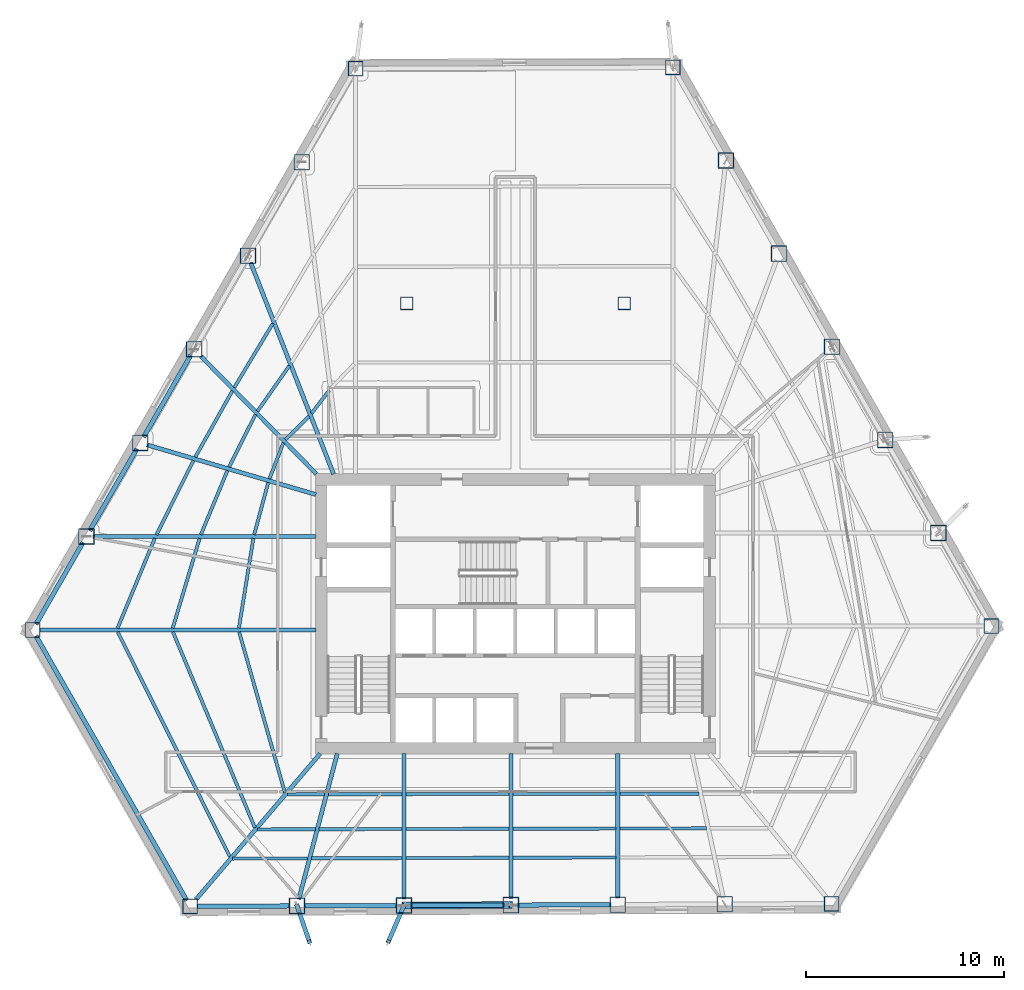
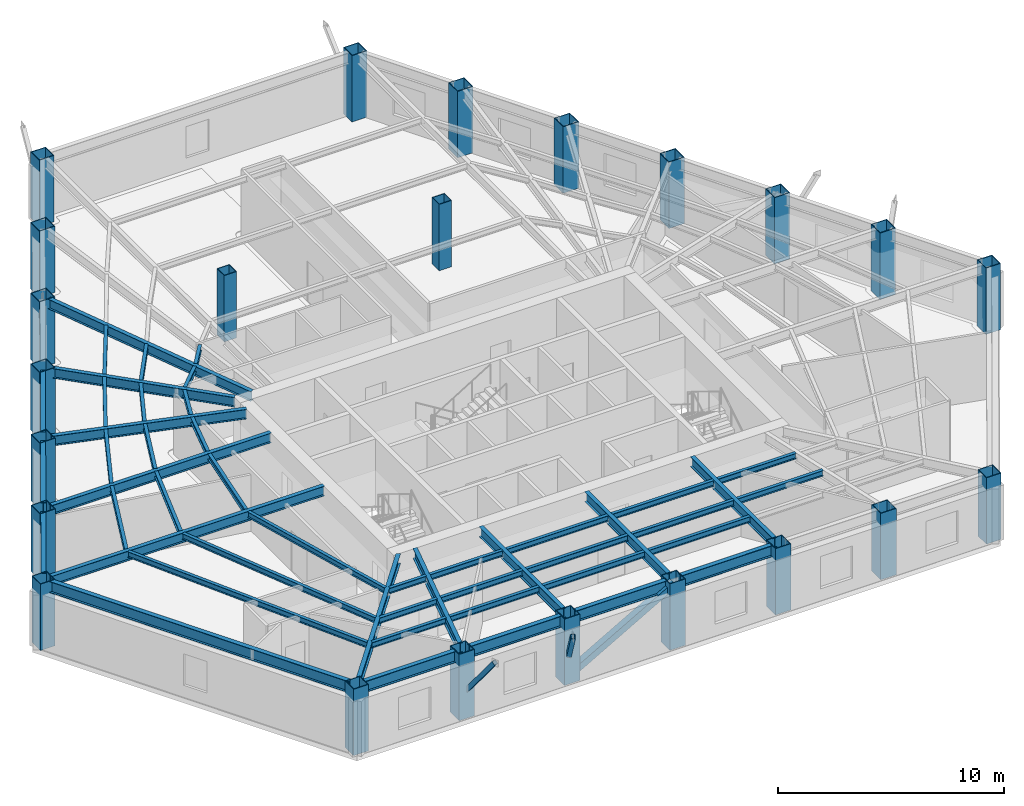
# One storey, part 1 of 12: 48 beams, 23 columns, 3 members.
"""IFC4 building model written with IfcOpenShell, lengths in metres."""

from ifc_helpers import new_model, si_unit, direction, frame, origin, origin_2d, place, context, subcontext, project, spatial, hollow_rectangle, i_section, extrude, material, material_profile, profile_set, type_object, element, save


model = new_model("IFC4")

# Units and contexts
model_context = context("Model", 3, precision=1e-05, world=origin(), true_north=direction((0.0, 1.0)))
body_context = subcontext(model_context, "Body", "Model", "MODEL_VIEW")
ifc_project = project(units=[si_unit("LENGTHUNIT", "METRE"), si_unit("AREAUNIT", "SQUARE_METRE"), si_unit("VOLUMEUNIT", "CUBIC_METRE"), si_unit("PLANEANGLEUNIT", "RADIAN"), si_unit("MASSUNIT", "GRAM", prefix="KILO")], contexts=[model_context])

# Site, building, storey
site_placement = place(None, origin())
site = spatial("IfcSite", under=ifc_project, at=site_placement, CompositionType="ELEMENT")
building_placement = place(site_placement, origin())
building = spatial("IfcBuilding", under=site, at=building_placement, Name="Kavelnor Concourse Tower", CompositionType="ELEMENT")
storey_placement = place(building_placement, frame((0.0, 0.0, 13.699951171875)))
storey = spatial("IfcBuildingStorey", under=building, at=storey_placement, Name="L03", CompositionType="ELEMENT", Elevation=13.699951171875)

# Columns
ifc_material = material(Name="Steel Grade 350", Category="steel")
ifc_material_profile_1 = material_profile(ifc_material, hollow_rectangle(XDim=0.760009765625, YDim=0.760009765625, WallThickness=0.034912109375, at=origin_2d()), Name="SHS 760x760x35")
ifc_profile_set_1 = profile_set([ifc_material_profile_1], Name="Steel Grade 350")
column_type_1 = type_object("IfcColumnType", Name="COL-FOLD-Z1", PredefinedType="COLUMN", material=ifc_profile_set_1)
for number, where, z_axis, x_axis, name in (
    (1, (29.9208984375, 43.67724609375, 0.0), (0.0, 0.0, 1.0), (1.0, 0.0, 0.0), "L03 Perimeter Corner-Fold Column F0-B0"),
    (2, (13.579345703125, 15.278564453125, 0.0), (0.0, 0.0, 1.0), (1.0, 0.0, 0.0), "L03 Perimeter Corner-Fold Column F0-B6"),
    (3, (21.547607421875, 1.30322265625, 0.0), (0.0, 0.0, 1.0), (1.0, 0.0, 0.0), "L03 Perimeter Corner-Fold Column F1-B0"),
    (4, (53.99755859375, 1.431884765625, 0.0), (0.0, 0.0, 1.0), (1.0, 0.0, 0.0), "L03 Perimeter Corner-Fold Column F1-B6"),
    (5, (62.079833984375, 15.4775390625, 0.0), (0.0, 0.0, 1.0), (1.0, 0.0, 0.0), "L03 Perimeter Corner-Fold Column F2-B0"),
    (6, (45.965087890625, 43.740966796875, 0.0), (0.0, 0.0, 1.0), (1.0, 0.0, 0.0), "L03 Perimeter Corner-Fold Column F2-B6"),
):
    element("IfcColumn", number, at=place(storey_placement, frame(where, z_axis=z_axis, x_axis=x_axis)), inside=storey, type_object=column_type_1, Name=name, PredefinedType="COLUMN", context=body_context, shape_type="SweptSolid", body=[
        extrude(hollow_rectangle(XDim=0.760009765625, YDim=0.760009765625, WallThickness=0.034912109375, at=origin_2d()), origin(), (0.0, 0.0, 1.0), 3.590087890625),
    ])
ifc_material_profile_2 = material_profile(ifc_material, hollow_rectangle(XDim=0.800048828125, YDim=0.800048828125, WallThickness=0.035888671875, at=origin_2d()), Name="SHS 800x800x36")
ifc_profile_set_2 = profile_set([ifc_material_profile_2], Name="Steel Grade 350")
column_type_2 = type_object("IfcColumnType", Name="COL-TUBE-Z1", PredefinedType="COLUMN", material=ifc_profile_set_2)
for number, where, z_axis, x_axis, name in (
    (7, (27.197265625, 38.944091796875, 0.0), (0.0, 0.0, 1.0), (1.0, 0.0, 0.0), "L03 Perimeter Framed-Tube Column F0-B1"),
    (8, (24.4736328125, 34.211181640625, 0.0), (0.0, 0.0, 1.0), (1.0, 0.0, 0.0), "L03 Perimeter Framed-Tube Column F0-B2"),
    (9, (21.75, 29.477783203125, 0.0), (0.0, 0.0, 1.0), (1.0, 0.0, 0.0), "L03 Perimeter Framed-Tube Column F0-B3"),
    (10, (19.026611328125, 24.744873046875, 0.0), (0.0, 0.0, 1.0), (1.0, 0.0, 0.0), "L03 Perimeter Framed-Tube Column F0-B4"),
    (11, (16.302978515625, 20.01171875, 0.0), (0.0, 0.0, 1.0), (1.0, 0.0, 0.0), "L03 Perimeter Framed-Tube Column F0-B5"),
    (12, (26.955810546875, 1.32470703125, 0.0), (0.0, 0.0, 1.0), (1.0, 0.0, 0.0), "L03 Perimeter Framed-Tube Column F1-B1"),
    (13, (32.3642578125, 1.34619140625, 0.0), (0.0, 0.0, 1.0), (1.0, 0.0, 0.0), "L03 Perimeter Framed-Tube Column F1-B2"),
    (14, (37.7724609375, 1.36767578125, 0.0), (0.0, 0.0, 1.0), (1.0, 0.0, 0.0), "L03 Perimeter Framed-Tube Column F1-B3"),
    (15, (43.180908203125, 1.388916015625, 0.0), (0.0, 0.0, 1.0), (1.0, 0.0, 0.0), "L03 Perimeter Framed-Tube Column F1-B4"),
    (16, (48.589111328125, 1.410400390625, 0.0), (0.0, 0.0, 1.0), (1.0, 0.0, 0.0), "L03 Perimeter Framed-Tube Column F1-B5"),
    (17, (59.39404296875, 20.188232421875, 0.0), (0.0, 0.0, 1.0), (1.0, 0.0, 0.0), "L03 Perimeter Framed-Tube Column F2-B1"),
    (18, (56.708251953125, 24.898681640625, 0.0), (0.0, 0.0, 1.0), (1.0, 0.0, 0.0), "L03 Perimeter Framed-Tube Column F2-B2"),
    (19, (54.0224609375, 29.609375, 0.0), (0.0, 0.0, 1.0), (1.0, 0.0, 0.0), "L03 Perimeter Framed-Tube Column F2-B3"),
    (20, (51.336669921875, 34.31982421875, 0.0), (0.0, 0.0, 1.0), (1.0, 0.0, 0.0), "L03 Perimeter Framed-Tube Column F2-B4"),
    (21, (48.65087890625, 39.030517578125, 0.0), (0.0, 0.0, 1.0), (1.0, 0.0, 0.0), "L03 Perimeter Framed-Tube Column F2-B5"),
):
    element("IfcColumn", number, at=place(storey_placement, frame(where, z_axis=z_axis, x_axis=x_axis)), inside=storey, type_object=column_type_2, Name=name, PredefinedType="COLUMN", context=body_context, shape_type="SweptSolid", body=[
        extrude(hollow_rectangle(XDim=0.800048828125, YDim=0.800048828125, WallThickness=0.035888671875, at=origin_2d()), origin(), (0.0, 0.0, 1.0), 3.590087890625),
    ])
ifc_material_profile_3 = material_profile(ifc_material, hollow_rectangle(XDim=0.639892578125, YDim=0.639892578125, WallThickness=0.028076171875, at=origin_2d()), Name="SHS 640x640x28")
ifc_profile_set_3 = profile_set([ifc_material_profile_3], Name="Steel Grade 350")
column_type_3 = type_object("IfcColumnType", Name="COL-TUBE-Z3", PredefinedType="COLUMN", material=ifc_profile_set_3)
for number, where, z_axis, x_axis, name in (
    (22, (32.5, 31.800048828125, 0.0), (0.0, 0.0, 1.0), (1.0, 0.0, 0.0), "L03 North Interior Gravity Column BC-NW"),
    (23, (43.5, 31.800048828125, 0.0), (0.0, 0.0, 1.0), (1.0, 0.0, 0.0), "L03 North Interior Gravity Column BC-NE"),
):
    element("IfcColumn", number, at=place(storey_placement, frame(where, z_axis=z_axis, x_axis=x_axis)), inside=storey, type_object=column_type_3, Name=name, PredefinedType="COLUMN", context=body_context, shape_type="SweptSolid", body=[
        extrude(hollow_rectangle(XDim=0.639892578125, YDim=0.639892578125, WallThickness=0.028076171875, at=origin_2d()), origin(), (0.0, 0.0, 1.0), 3.590087890625),
    ])

# Beams
ifc_material_profile_4 = material_profile(ifc_material, i_section(OverallWidth=0.166015625, OverallDepth=0.306884765625, WebThickness=0.006591796875, FlangeThickness=0.01171875, at=origin_2d()), Name="310UB46")
ifc_profile_set_4 = profile_set([ifc_material_profile_4], Name="Steel Grade 350")
beam_type_1 = type_object("IfcBeamType", Name="BM-JOIST-310", PredefinedType="JOIST", material=ifc_profile_set_4)
beam_1_placement = place(storey_placement, frame((24.02685546875, 15.183837890625, 3.4365234375), z_axis=(0.27407983215, -0.961706943725, 0.0), x_axis=(0.961706943725, 0.27407983215, 0.0)))
element("IfcBeam", 24, at=beam_1_placement, inside=storey, type_object=beam_type_1, Name="L03 Secondary Composite Joist 01-1", PredefinedType="JOIST", context=body_context, shape_type="SweptSolid", body=[
    extrude(i_section(OverallWidth=0.166015625, OverallDepth=0.306884765625, WebThickness=0.006591796875, FlangeThickness=0.01171875, at=origin_2d()), origin(), (0.0, 0.0, 1.0), 8.447998046875),
])
beam_2_placement = place(storey_placement, frame((20.677734375, 15.187744140625, 3.4365234375), z_axis=(0.386148888431, -0.922436467169, 0.0), x_axis=(0.922436467169, 0.386148888431, 0.0)))
element("IfcBeam", 25, at=beam_2_placement, inside=storey, type_object=beam_type_1, Name="L03 Secondary Composite Joist 01-2", PredefinedType="JOIST", context=body_context, shape_type="SweptSolid", body=[
    extrude(i_section(OverallWidth=0.166015625, OverallDepth=0.306884765625, WebThickness=0.006591796875, FlangeThickness=0.01171875, at=origin_2d()), origin(), (0.0, 0.0, 1.0), 10.735595703125),
])
beam_3_placement = place(storey_placement, frame((17.883544921875, 15.1904296875, 3.4365234375), z_axis=(0.44627676982, -0.89489499089, 0.0), x_axis=(0.89489499089, 0.44627676982, 0.0)))
element("IfcBeam", 26, at=beam_3_placement, inside=storey, type_object=beam_type_1, Name="L03 Secondary Composite Joist 01-3", PredefinedType="JOIST", context=body_context, shape_type="SweptSolid", body=[
    extrude(i_section(OverallWidth=0.166015625, OverallDepth=0.306884765625, WebThickness=0.006591796875, FlangeThickness=0.01171875, at=origin_2d()), origin(), (0.0, 0.0, 1.0), 12.720703125),
])
beam_4_placement = place(storey_placement, frame((26.4677734375, 6.965087890625, 3.4365234375), z_axis=(0.999989099181, 0.004669209802, 0.0), x_axis=(-0.004669209802, 0.999989099181, 0.0)))
element("IfcBeam", 27, at=beam_4_placement, inside=storey, type_object=beam_type_1, Name="L03 Secondary Composite Joist 02-1", PredefinedType="JOIST", context=body_context, shape_type="SweptSolid", body=[
    extrude(i_section(OverallWidth=0.166015625, OverallDepth=0.306884765625, WebThickness=0.006591796875, FlangeThickness=0.01171875, at=origin_2d()), origin(), (0.0, 0.0, 1.0), 1.88232421875),
])
beam_5_placement = place(storey_placement, frame((24.959716796875, 5.1943359375, 3.4365234375), z_axis=(0.999993846373, 0.003508164179, 0.0), x_axis=(-0.003508164179, 0.999993846373, 0.0)))
element("IfcBeam", 28, at=beam_5_placement, inside=storey, type_object=beam_type_1, Name="L03 Secondary Composite Joist 02-2", PredefinedType="JOIST", context=body_context, shape_type="SweptSolid", body=[
    extrude(i_section(OverallWidth=0.166015625, OverallDepth=0.306884765625, WebThickness=0.006591796875, FlangeThickness=0.01171875, at=origin_2d()), origin(), (0.0, 0.0, 1.0), 2.9228515625),
])
beam_6_placement = place(storey_placement, frame((23.703125, 3.71875, 3.4365234375), z_axis=(0.999995609323, 0.002963331703, 0.0), x_axis=(-0.002963331703, 0.999995609323, 0.0)))
element("IfcBeam", 29, at=beam_6_placement, inside=storey, type_object=beam_type_1, Name="L03 Secondary Composite Joist 02-3", PredefinedType="JOIST", context=body_context, shape_type="SweptSolid", body=[
    extrude(i_section(OverallWidth=0.166015625, OverallDepth=0.306884765625, WebThickness=0.006591796875, FlangeThickness=0.01171875, at=origin_2d()), origin(), (0.0, 0.0, 1.0), 3.789794921875),
])
beam_7_placement = place(storey_placement, frame((28.547119140625, 6.974609375, 3.4365234375), z_axis=(0.999998652923, 0.001641387061, 0.0), x_axis=(-0.001641387061, 0.999998652923, 0.0)))
element("IfcBeam", 30, at=beam_7_placement, inside=storey, type_object=beam_type_1, Name="L03 Secondary Composite Joist 03-1", PredefinedType="JOIST", context=body_context, shape_type="SweptSolid", body=[
    extrude(i_section(OverallWidth=0.166015625, OverallDepth=0.306884765625, WebThickness=0.006591796875, FlangeThickness=0.01171875, at=origin_2d()), origin(), (0.0, 0.0, 1.0), 3.718505859375),
])
beam_8_placement = place(storey_placement, frame((28.07958984375, 5.205078125, 3.4365234375), z_axis=(0.999996707335, 0.002566187748, 0.0), x_axis=(-0.002566187748, 0.999996707335, 0.0)))
element("IfcBeam", 31, at=beam_8_placement, inside=storey, type_object=beam_type_1, Name="L03 Secondary Composite Joist 03-2", PredefinedType="JOIST", context=body_context, shape_type="SweptSolid", body=[
    extrude(i_section(OverallWidth=0.166015625, OverallDepth=0.306884765625, WebThickness=0.006591796875, FlangeThickness=0.01171875, at=origin_2d()), origin(), (0.0, 0.0, 1.0), 4.18603515625),
])
beam_9_placement = place(storey_placement, frame((27.68994140625, 3.730712890625, 3.4365234375), z_axis=(0.999995211594, 0.0030946389, 0.0), x_axis=(-0.0030946389, 0.999995211594, 0.0)))
element("IfcBeam", 32, at=beam_9_placement, inside=storey, type_object=beam_type_1, Name="L03 Secondary Composite Joist 03-3", PredefinedType="JOIST", context=body_context, shape_type="SweptSolid", body=[
    extrude(i_section(OverallWidth=0.166015625, OverallDepth=0.306884765625, WebThickness=0.006591796875, FlangeThickness=0.01171875, at=origin_2d()), origin(), (0.0, 0.0, 1.0), 4.57568359375),
])
for number, where, z_axis, x_axis, name in (
    (33, (32.462646484375, 6.98095703125, 3.4365234375), (0.999999367939, 0.001124331717, 0.0), (-0.001124331717, 0.999999367939, 0.0), "L03 Secondary Composite Joist 04-1"),
    (34, (32.462646484375, 5.21630859375, 3.4365234375), (0.999997971044, 0.002014424846, 0.0), (-0.002014424846, 0.999997971044, 0.0), "L03 Secondary Composite Joist 04-2"),
    (35, (32.462646484375, 3.74560546875, 3.4365234375), (0.999995916863, 0.002857666585, 0.0), (-0.002857666585, 0.999995916863, 0.0), "L03 Secondary Composite Joist 04-3"),
    (36, (37.87109375, 6.987060546875, 3.4365234375), (0.999999367939, 0.001124331717, 0.0), (-0.001124331717, 0.999999367939, 0.0), "L03 Secondary Composite Joist 05-1"),
    (37, (37.87109375, 5.227294921875, 3.4365234375), (0.999997875577, 0.002061271738, 0.0), (-0.002061271738, 0.999997875577, 0.0), "L03 Secondary Composite Joist 05-2"),
    (38, (37.87109375, 3.760986328125, 3.4365234375), (0.999995916863, 0.002857666585, 0.0), (-0.002857666585, 0.999995916863, 0.0), "L03 Secondary Composite Joist 05-3"),
):
    element("IfcBeam", number, at=place(storey_placement, frame(where, z_axis=z_axis, x_axis=x_axis)), inside=storey, type_object=beam_type_1, Name=name, PredefinedType="JOIST", context=body_context, shape_type="SweptSolid", body=[
        extrude(i_section(OverallWidth=0.166015625, OverallDepth=0.306884765625, WebThickness=0.006591796875, FlangeThickness=0.01171875, at=origin_2d()), origin(), (0.0, 0.0, 1.0), 5.21142578125),
    ])
beam_10_placement = place(storey_placement, frame((43.279296875, 6.9931640625, 3.4365234375), z_axis=(0.999999178875, 0.001281502579, 0.0), x_axis=(-0.001281502579, 0.999999178875, 0.0)))
element("IfcBeam", 39, at=beam_10_placement, inside=storey, type_object=beam_type_1, Name="L03 Secondary Composite Joist 06-1", PredefinedType="JOIST", context=body_context, shape_type="SweptSolid", body=[
    extrude(i_section(OverallWidth=0.166015625, OverallDepth=0.306884765625, WebThickness=0.006591796875, FlangeThickness=0.01171875, at=origin_2d()), origin(), (0.0, 0.0, 1.0), 4.000732421875),
])
beam_11_placement = place(storey_placement, frame((43.279296875, 5.238525390625, 3.4365234375), z_axis=(0.999996992006, 0.002452749186, 0.0), x_axis=(-0.002452749186, 0.999996992006, 0.0)))
element("IfcBeam", 40, at=beam_11_placement, inside=storey, type_object=beam_type_1, Name="L03 Secondary Composite Joist 06-2", PredefinedType="JOIST", context=body_context, shape_type="SweptSolid", body=[
    extrude(i_section(OverallWidth=0.166015625, OverallDepth=0.306884765625, WebThickness=0.006591796875, FlangeThickness=0.01171875, at=origin_2d()), origin(), (0.0, 0.0, 1.0), 4.379638671875),
])
beam_12_placement = place(storey_placement, frame((28.587890625, 27.406494140625, 3.4365234375), z_axis=(-0.609085650678, -0.793104450964, 0.0), x_axis=(0.793104450964, -0.609085650678, 0.0)))
element("IfcBeam", 41, at=beam_12_placement, inside=storey, type_object=beam_type_1, Name="L03 Secondary Composite Joist 17-1", PredefinedType="JOIST", context=body_context, shape_type="SweptSolid", body=[
    extrude(i_section(OverallWidth=0.166015625, OverallDepth=0.306884765625, WebThickness=0.006591796875, FlangeThickness=0.01171875, at=origin_2d()), origin(), (0.0, 0.0, 1.0), 1.47265625),
])
beam_13_placement = place(storey_placement, frame((27.56103515625, 26.0908203125, 3.4365234375), z_axis=(-0.70935858077, -0.704847787744, 0.0), x_axis=(0.704847787744, -0.70935858077, 0.0)))
element("IfcBeam", 42, at=beam_13_placement, inside=storey, type_object=beam_type_1, Name="L03 Secondary Composite Joist 18-1", PredefinedType="JOIST", context=body_context, shape_type="SweptSolid", body=[
    extrude(i_section(OverallWidth=0.166015625, OverallDepth=0.306884765625, WebThickness=0.006591796875, FlangeThickness=0.01171875, at=origin_2d()), origin(), (0.0, 0.0, 1.0), 1.677734375),
])
beam_14_placement = place(storey_placement, frame((26.56689453125, 28.64892578125, 3.4365234375), z_axis=(-0.573788995083, -0.819003167956, 0.0), x_axis=(0.819003167956, -0.573788995083, 0.0)))
element("IfcBeam", 43, at=beam_14_placement, inside=storey, type_object=beam_type_1, Name="L03 Secondary Composite Joist 18-2", PredefinedType="JOIST", context=body_context, shape_type="SweptSolid", body=[
    extrude(i_section(OverallWidth=0.166015625, OverallDepth=0.306884765625, WebThickness=0.006591796875, FlangeThickness=0.01171875, at=origin_2d()), origin(), (0.0, 0.0, 1.0), 2.80859375),
])
beam_15_placement = place(storey_placement, frame((25.73291015625, 30.786376953125, 3.4365234375), z_axis=(-0.515595726706, -0.856831982714, 0.0), x_axis=(0.856831982714, -0.515595726706, 0.0)))
element("IfcBeam", 44, at=beam_15_placement, inside=storey, type_object=beam_type_1, Name="L03 Secondary Composite Joist 18-3", PredefinedType="JOIST", context=body_context, shape_type="SweptSolid", body=[
    extrude(i_section(OverallWidth=0.166015625, OverallDepth=0.306884765625, WebThickness=0.006591796875, FlangeThickness=0.01171875, at=origin_2d()), origin(), (0.0, 0.0, 1.0), 3.78466796875),
])
beam_16_placement = place(storey_placement, frame((26.265380859375, 24.7470703125, 3.4365234375), z_axis=(-0.36123955807, -0.932473046091, 0.0), x_axis=(0.932473046091, -0.36123955807, 0.0)))
element("IfcBeam", 45, at=beam_16_placement, inside=storey, type_object=beam_type_1, Name="L03 Secondary Composite Joist 19-1", PredefinedType="JOIST", context=body_context, shape_type="SweptSolid", body=[
    extrude(i_section(OverallWidth=0.166015625, OverallDepth=0.306884765625, WebThickness=0.006591796875, FlangeThickness=0.01171875, at=origin_2d()), origin(), (0.0, 0.0, 1.0), 1.953125),
])
beam_17_placement = place(storey_placement, frame((24.8544921875, 26.18017578125, 3.4365234375), z_axis=(-0.450036410852, -0.893010206497, 0.0), x_axis=(0.893010206497, -0.450036410852, 0.0)))
element("IfcBeam", 46, at=beam_17_placement, inside=storey, type_object=beam_type_1, Name="L03 Secondary Composite Joist 19-2", PredefinedType="JOIST", context=body_context, shape_type="SweptSolid", body=[
    extrude(i_section(OverallWidth=0.166015625, OverallDepth=0.306884765625, WebThickness=0.006591796875, FlangeThickness=0.01171875, at=origin_2d()), origin(), (0.0, 0.0, 1.0), 2.972900390625),
])
beam_18_placement = place(storey_placement, frame((23.6826171875, 27.373046875, 3.4365234375), z_axis=(-0.48821367969, -0.872724127639, 0.0), x_axis=(0.872724127639, -0.48821367969, 0.0)))
element("IfcBeam", 47, at=beam_18_placement, inside=storey, type_object=beam_type_1, Name="L03 Secondary Composite Joist 19-3", PredefinedType="JOIST", context=body_context, shape_type="SweptSolid", body=[
    extrude(i_section(OverallWidth=0.166015625, OverallDepth=0.306884765625, WebThickness=0.006591796875, FlangeThickness=0.01171875, at=origin_2d()), origin(), (0.0, 0.0, 1.0), 3.8349609375),
])
beam_19_placement = place(storey_placement, frame((25.498779296875, 22.73876953125, 3.4365234375), z_axis=(-0.260676702634, -0.9654261529, 0.0), x_axis=(0.9654261529, -0.260676702634, 0.0)))
element("IfcBeam", 48, at=beam_19_placement, inside=storey, type_object=beam_type_1, Name="L03 Secondary Composite Joist 20-1", PredefinedType="JOIST", context=body_context, shape_type="SweptSolid", body=[
    extrude(i_section(OverallWidth=0.166015625, OverallDepth=0.306884765625, WebThickness=0.006591796875, FlangeThickness=0.01171875, at=origin_2d()), origin(), (0.0, 0.0, 1.0), 2.726318359375),
])
beam_20_placement = place(storey_placement, frame((23.434814453125, 23.34619140625, 3.4365234375), z_axis=(-0.382159277939, -0.924096470226, 0.0), x_axis=(0.924096470226, -0.382159277939, 0.0)))
element("IfcBeam", 49, at=beam_20_placement, inside=storey, type_object=beam_type_1, Name="L03 Secondary Composite Joist 20-2", PredefinedType="JOIST", context=body_context, shape_type="SweptSolid", body=[
    extrude(i_section(OverallWidth=0.166015625, OverallDepth=0.306884765625, WebThickness=0.006591796875, FlangeThickness=0.01171875, at=origin_2d()), origin(), (0.0, 0.0, 1.0), 3.509765625),
])
beam_21_placement = place(storey_placement, frame((21.71826171875, 23.85205078125, 3.4365234375), z_axis=(-0.4467711355, -0.894648284235, 0.0), x_axis=(0.894648284235, -0.4467711355, 0.0)))
element("IfcBeam", 50, at=beam_21_placement, inside=storey, type_object=beam_type_1, Name="L03 Secondary Composite Joist 20-3", PredefinedType="JOIST", context=body_context, shape_type="SweptSolid", body=[
    extrude(i_section(OverallWidth=0.166015625, OverallDepth=0.306884765625, WebThickness=0.006591796875, FlangeThickness=0.01171875, at=origin_2d()), origin(), (0.0, 0.0, 1.0), 4.194091796875),
])
beam_22_placement = place(storey_placement, frame((24.746826171875, 19.91455078125, 3.4365234375), z_axis=(-0.15910053834, -0.987262385944, 0.0), x_axis=(0.987262385944, -0.15910053834, 0.0)))
element("IfcBeam", 51, at=beam_22_placement, inside=storey, type_object=beam_type_1, Name="L03 Secondary Composite Joist 21-1", PredefinedType="JOIST", context=body_context, shape_type="SweptSolid", body=[
    extrude(i_section(OverallWidth=0.166015625, OverallDepth=0.306884765625, WebThickness=0.006591796875, FlangeThickness=0.01171875, at=origin_2d()), origin(), (0.0, 0.0, 1.0), 4.597412109375),
])
beam_23_placement = place(storey_placement, frame((22.027587890625, 19.917236328125, 3.4365234375), z_axis=(-0.286644208212, -0.958037106744, 0.0), x_axis=(0.958037106744, -0.286644208212, 0.0)))
element("IfcBeam", 52, at=beam_23_placement, inside=storey, type_object=beam_type_1, Name="L03 Secondary Composite Joist 21-2", PredefinedType="JOIST", context=body_context, shape_type="SweptSolid", body=[
    extrude(i_section(OverallWidth=0.166015625, OverallDepth=0.306884765625, WebThickness=0.006591796875, FlangeThickness=0.01171875, at=origin_2d()), origin(), (0.0, 0.0, 1.0), 4.7431640625),
])
beam_24_placement = place(storey_placement, frame((19.762939453125, 19.920654296875, 3.4365234375), z_axis=(-0.382795316154, -0.923833180791, 0.0), x_axis=(0.923833180791, -0.382795316154, 0.0)))
element("IfcBeam", 53, at=beam_24_placement, inside=storey, type_object=beam_type_1, Name="L03 Secondary Composite Joist 21-3", PredefinedType="JOIST", context=body_context, shape_type="SweptSolid", body=[
    extrude(i_section(OverallWidth=0.166015625, OverallDepth=0.306884765625, WebThickness=0.006591796875, FlangeThickness=0.01171875, at=origin_2d()), origin(), (0.0, 0.0, 1.0), 4.92626953125),
])
ifc_material_profile_5 = material_profile(ifc_material, i_section(OverallWidth=0.208984375, OverallDepth=0.528076171875, WebThickness=0.009521484375, FlangeThickness=0.01318359375, at=origin_2d()), Name="530UB82")
ifc_profile_set_5 = profile_set([ifc_material_profile_5], Name="Steel Grade 350")
beam_type_2 = type_object("IfcBeamType", Name="BM-PRIMARY-530", PredefinedType="BEAM", material=ifc_profile_set_5)
beam_25_placement = place(storey_placement, frame((28.806396484375, 23.162841796875, 3.325927734375), z_axis=(-0.3650860856, 0.930973764454, 0.0), x_axis=(-0.930973764454, -0.3650860856, 0.0)))
element("IfcBeam", 54, at=beam_25_placement, inside=storey, type_object=beam_type_2, Name="L03 Primary Floor Girder F0-B2", PredefinedType="BEAM", context=body_context, shape_type="SweptSolid", body=[
    extrude(i_section(OverallWidth=0.208984375, OverallDepth=0.528076171875, WebThickness=0.009521484375, FlangeThickness=0.01318359375, at=origin_2d()), origin(), (0.0, 0.0, 1.0), 11.499267578125),
])
beam_26_placement = place(storey_placement, frame((27.9365234375, 23.17138671875, 3.325927734375), z_axis=(-0.70026948216, 0.713878597771, 0.0), x_axis=(-0.713878597771, -0.70026948216, 0.0)))
element("IfcBeam", 55, at=beam_26_placement, inside=storey, type_object=beam_type_2, Name="L03 Primary Floor Girder F0-B3", PredefinedType="BEAM", context=body_context, shape_type="SweptSolid", body=[
    extrude(i_section(OverallWidth=0.208984375, OverallDepth=0.528076171875, WebThickness=0.009521484375, FlangeThickness=0.01318359375, at=origin_2d()), origin(), (0.0, 0.0, 1.0), 8.341796875),
])
beam_27_placement = place(storey_placement, frame((27.91845703125, 22.1298828125, 3.325927734375), z_axis=(-0.959377278222, 0.282126280293, 0.0), x_axis=(-0.282126280293, -0.959377278222, 0.0)))
element("IfcBeam", 56, at=beam_27_placement, inside=storey, type_object=beam_type_2, Name="L03 Primary Floor Girder F0-B4", PredefinedType="BEAM", context=body_context, shape_type="SweptSolid", body=[
    extrude(i_section(OverallWidth=0.208984375, OverallDepth=0.528076171875, WebThickness=0.009521484375, FlangeThickness=0.01318359375, at=origin_2d()), origin(), (0.0, 0.0, 1.0), 8.912353515625),
])
beam_28_placement = place(storey_placement, frame((27.919921875, 20.01171875, 3.325927734375), z_axis=(-1.0, 0.0, 0.0), x_axis=(0.0, -1.0, 0.0)))
element("IfcBeam", 57, at=beam_28_placement, inside=storey, type_object=beam_type_2, Name="L03 Primary Floor Girder F0-B5", PredefinedType="BEAM", context=body_context, shape_type="SweptSolid", body=[
    extrude(i_section(OverallWidth=0.208984375, OverallDepth=0.528076171875, WebThickness=0.009521484375, FlangeThickness=0.01318359375, at=origin_2d()), origin(), (0.0, 0.0, 1.0), 11.27685546875),
])
beam_29_placement = place(storey_placement, frame((27.919921875, 15.278564453125, 3.325927734375), z_axis=(-1.0, 0.0, 0.0), x_axis=(0.0, -1.0, 0.0)))
element("IfcBeam", 58, at=beam_29_placement, inside=storey, type_object=beam_type_2, Name="L03 Primary Floor Girder F0-B6", PredefinedType="BEAM", context=body_context, shape_type="SweptSolid", body=[
    extrude(i_section(OverallWidth=0.208984375, OverallDepth=0.528076171875, WebThickness=0.009521484375, FlangeThickness=0.01318359375, at=origin_2d()), origin(), (0.0, 0.0, 1.0), 14.00048828125),
])
beam_30_placement = place(storey_placement, frame((28.12841796875, 9.030517578125, 3.325927734375), z_axis=(-0.648364797017, -0.761329816827, 0.0), x_axis=(0.761329816827, -0.648364797017, 0.0)))
element("IfcBeam", 59, at=beam_30_placement, inside=storey, type_object=beam_type_2, Name="L03 Primary Floor Girder F1-B0", PredefinedType="BEAM", context=body_context, shape_type="SweptSolid", body=[
    extrude(i_section(OverallWidth=0.208984375, OverallDepth=0.528076171875, WebThickness=0.009521484375, FlangeThickness=0.01318359375, at=origin_2d()), origin(), (0.0, 0.0, 1.0), 9.69091796875),
])
beam_31_placement = place(storey_placement, frame((28.993896484375, 9.038818359375, 3.325927734375), z_axis=(-0.255418226555, -0.96683066229, 0.0), x_axis=(0.96683066229, -0.255418226555, 0.0)))
element("IfcBeam", 60, at=beam_31_placement, inside=storey, type_object=beam_type_2, Name="L03 Primary Floor Girder F1-B1", PredefinedType="BEAM", context=body_context, shape_type="SweptSolid", body=[
    extrude(i_section(OverallWidth=0.208984375, OverallDepth=0.528076171875, WebThickness=0.009521484375, FlangeThickness=0.01318359375, at=origin_2d()), origin(), (0.0, 0.0, 1.0), 7.625732421875),
])
beam_32_placement = place(storey_placement, frame((32.3642578125, 9.0400390625, 3.325927734375), z_axis=(0.0, -1.0, 0.0), x_axis=(1.0, 0.0, 0.0)))
element("IfcBeam", 61, at=beam_32_placement, inside=storey, type_object=beam_type_2, Name="L03 Primary Floor Girder F1-B2", PredefinedType="BEAM", context=body_context, shape_type="SweptSolid", body=[
    extrude(i_section(OverallWidth=0.208984375, OverallDepth=0.528076171875, WebThickness=0.009521484375, FlangeThickness=0.01318359375, at=origin_2d()), origin(), (0.0, 0.0, 1.0), 7.35400390625),
])
beam_33_placement = place(storey_placement, frame((37.7724609375, 9.0400390625, 3.325927734375), z_axis=(0.0, -1.0, 0.0), x_axis=(1.0, 0.0, 0.0)))
element("IfcBeam", 62, at=beam_33_placement, inside=storey, type_object=beam_type_2, Name="L03 Primary Floor Girder F1-B3", PredefinedType="BEAM", context=body_context, shape_type="SweptSolid", body=[
    extrude(i_section(OverallWidth=0.208984375, OverallDepth=0.528076171875, WebThickness=0.009521484375, FlangeThickness=0.01318359375, at=origin_2d()), origin(), (0.0, 0.0, 1.0), 7.33251953125),
])
beam_34_placement = place(storey_placement, frame((43.180908203125, 9.0400390625, 3.325927734375), z_axis=(0.0, -1.0, 0.0), x_axis=(1.0, 0.0, 0.0)))
element("IfcBeam", 63, at=beam_34_placement, inside=storey, type_object=beam_type_2, Name="L03 Primary Floor Girder F1-B4", PredefinedType="BEAM", context=body_context, shape_type="SweptSolid", body=[
    extrude(i_section(OverallWidth=0.208984375, OverallDepth=0.528076171875, WebThickness=0.009521484375, FlangeThickness=0.01318359375, at=origin_2d()), origin(), (0.0, 0.0, 1.0), 7.31103515625),
])
ifc_material_profile_6 = material_profile(ifc_material, i_section(OverallWidth=0.22900390625, OverallDepth=0.612060546875, WebThickness=0.011962890625, FlangeThickness=0.01953125, at=origin_2d()), Name="610UB125")
ifc_profile_set_6 = profile_set([ifc_material_profile_6], Name="Steel Grade 350")
beam_type_3 = type_object("IfcBeamType", Name="BM-SPANDREL-Z1", PredefinedType="SPANDREL", material=ifc_profile_set_6)
for number, where, z_axis, x_axis, name in (
    (64, (21.577880859375, 29.178955078125, 3.283935546875), (-0.498688398825, -0.866781333946, 0.0), (0.866781333946, -0.498688398825, 0.0), "L03 Perimeter Tube Spandrel Beam F0-B3"),
    (65, (18.8544921875, 24.44580078125, 3.283935546875), (-0.498748966165, -0.866746484705, 0.0), (0.866746484705, -0.498748966165, 0.0), "L03 Perimeter Tube Spandrel Beam F0-B4"),
    (66, (16.130859375, 19.712646484375, 3.283935546875), (-0.498748966165, -0.866746484705, 0.0), (0.866746484705, -0.498748966165, 0.0), "L03 Perimeter Tube Spandrel Beam F0-B5"),
):
    element("IfcBeam", number, at=place(storey_placement, frame(where, z_axis=z_axis, x_axis=x_axis)), inside=storey, type_object=beam_type_3, Name=name, PredefinedType="SPANDREL", context=body_context, shape_type="SweptSolid", body=[
        extrude(i_section(OverallWidth=0.22900390625, OverallDepth=0.612060546875, WebThickness=0.011962890625, FlangeThickness=0.01953125, at=origin_2d()), origin(), (0.0, 0.0, 1.0), 4.770751953125),
    ])
beam_35_placement = place(storey_placement, frame((21.892578125, 1.3046875, 3.283935546875), z_axis=(0.999992267709, 0.003932495723, 0.0), x_axis=(-0.003932495723, 0.999992267709, 0.0)))
element("IfcBeam", 67, at=beam_35_placement, inside=storey, type_object=beam_type_3, Name="L03 Perimeter Tube Spandrel Beam F1-B0", PredefinedType="SPANDREL", context=body_context, shape_type="SweptSolid", body=[
    extrude(i_section(OverallWidth=0.22900390625, OverallDepth=0.612060546875, WebThickness=0.011962890625, FlangeThickness=0.01953125, at=origin_2d()), origin(), (0.0, 0.0, 1.0), 4.71826171875),
])
beam_36_placement = place(storey_placement, frame((27.30078125, 1.325927734375, 3.283935546875), z_axis=(0.999992063713, 0.003984032126, 0.0), x_axis=(-0.003984032126, 0.999992063713, 0.0)))
element("IfcBeam", 68, at=beam_36_placement, inside=storey, type_object=beam_type_3, Name="L03 Perimeter Tube Spandrel Beam F1-B1", PredefinedType="SPANDREL", context=body_context, shape_type="SweptSolid", body=[
    extrude(i_section(OverallWidth=0.22900390625, OverallDepth=0.612060546875, WebThickness=0.011962890625, FlangeThickness=0.01953125, at=origin_2d()), origin(), (0.0, 0.0, 1.0), 4.718505859375),
])
beam_37_placement = place(storey_placement, frame((32.709228515625, 1.347412109375, 3.283935546875), z_axis=(0.999992062891, 0.003984238272, 0.0), x_axis=(-0.003984238272, 0.999992062891, 0.0)))
element("IfcBeam", 69, at=beam_37_placement, inside=storey, type_object=beam_type_3, Name="L03 Perimeter Tube Spandrel Beam F1-B2", PredefinedType="SPANDREL", context=body_context, shape_type="SweptSolid", body=[
    extrude(i_section(OverallWidth=0.22900390625, OverallDepth=0.612060546875, WebThickness=0.011962890625, FlangeThickness=0.01953125, at=origin_2d()), origin(), (0.0, 0.0, 1.0), 4.71826171875),
])
beam_38_placement = place(storey_placement, frame((38.117431640625, 1.368896484375, 3.283935546875), z_axis=(0.999992063713, 0.003984032126, 0.0), x_axis=(-0.003984032126, 0.999992063713, 0.0)))
element("IfcBeam", 70, at=beam_38_placement, inside=storey, type_object=beam_type_3, Name="L03 Perimeter Tube Spandrel Beam F1-B3", PredefinedType="SPANDREL", context=body_context, shape_type="SweptSolid", body=[
    extrude(i_section(OverallWidth=0.22900390625, OverallDepth=0.612060546875, WebThickness=0.011962890625, FlangeThickness=0.01953125, at=origin_2d()), origin(), (0.0, 0.0, 1.0), 4.718505859375),
])
beam_39_placement = place(storey_placement, frame((13.750244140625, 14.97900390625, 3.283935546875), z_axis=(0.495302012098, -0.868720850913, 0.0), x_axis=(0.868720850913, 0.495302012098, 0.0)))
element("IfcBeam", 71, at=beam_39_placement, inside=storey, type_object=beam_type_3, Name="L03 Chamfer Facet Spandrel Beam C1", PredefinedType="SPANDREL", context=body_context, shape_type="SweptSolid", body=[
    extrude(i_section(OverallWidth=0.22900390625, OverallDepth=0.612060546875, WebThickness=0.011962890625, FlangeThickness=0.01953125, at=origin_2d()), origin(), (0.0, 0.0, 1.0), 15.397705078125),
])

# Members
ifc_material_profile_7 = material_profile(ifc_material, hollow_rectangle(XDim=0.219970703125, YDim=0.219970703125, WallThickness=0.013916015625, at=origin_2d()), Name="SHS 220x220x14")
ifc_profile_set_7 = profile_set([ifc_material_profile_7], Name="Steel Grade 350")
member_type_1 = type_object("IfcMemberType", Name="MBR-BALC-STRUT-220", PredefinedType="STRUT", material=ifc_profile_set_7)
member_1_placement = place(storey_placement, frame((26.955810546875, 1.32470703125, 1.050048828125), z_axis=(0.193298109274, -0.559499451111, 0.805975312995), x_axis=(0.945181612616, 0.326545125784, 0.0)))
element("IfcMember", 72, at=member_1_placement, inside=storey, type_object=member_type_1, Name="L03 Tree Balcony Raking Knee Strut 1-A", PredefinedType="STRUT", context=body_context, shape_type="SweptSolid", body=[
    extrude(hollow_rectangle(XDim=0.219970703125, YDim=0.219970703125, WallThickness=0.013916015625, at=origin_2d()), origin(), (0.0, 0.0, 1.0), 3.232177734375),
])
member_2_placement = place(storey_placement, frame((32.3642578125, 1.34619140625, 1.050048828125), z_axis=(-0.239389244036, -0.556337620097, 0.795726864134), x_axis=(0.918570852398, -0.39525635874, 0.0)))
element("IfcMember", 73, at=member_2_placement, inside=storey, type_object=member_type_1, Name="L03 Tree Balcony Raking Knee Strut 1-B", PredefinedType="STRUT", context=body_context, shape_type="SweptSolid", body=[
    extrude(hollow_rectangle(XDim=0.219970703125, YDim=0.219970703125, WallThickness=0.013916015625, at=origin_2d()), origin(), (0.0, 0.0, 1.0), 3.273681640625),
])
ifc_material_profile_8 = material_profile(ifc_material, hollow_rectangle(XDim=0.35009765625, YDim=0.35009765625, WallThickness=0.02001953125, at=origin_2d()), Name="SHS 350x350x20")
ifc_profile_set_8 = profile_set([ifc_material_profile_8], Name="Steel Grade 350")
member_type_2 = type_object("IfcMemberType", Name="MBR-TUBE-DIAG-Z1", PredefinedType="BRACE", material=ifc_profile_set_8)
member_3_placement = place(storey_placement, frame((32.3642578125, 1.34619140625, 0.219970703125), z_axis=(0.870064157018, 0.003456376211, 0.492926380037), x_axis=(-0.003972521923, 0.999992109504, 0.0)))
element("IfcMember", 74, at=member_3_placement, inside=storey, type_object=member_type_2, Name="L03 Framed-Tube Bracing Diagonal F1-B2", PredefinedType="BRACE", context=body_context, shape_type="SweptSolid", body=[
    extrude(hollow_rectangle(XDim=0.35009765625, YDim=0.35009765625, WallThickness=0.02001953125, at=origin_2d()), origin(), (0.0, 0.0, 1.0), 6.2158203125),
])

save(model, "model.ifc")
